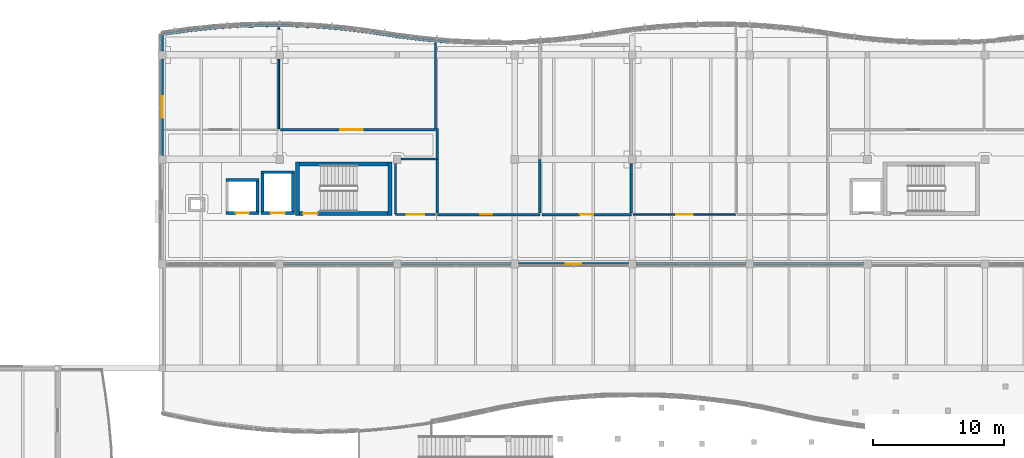
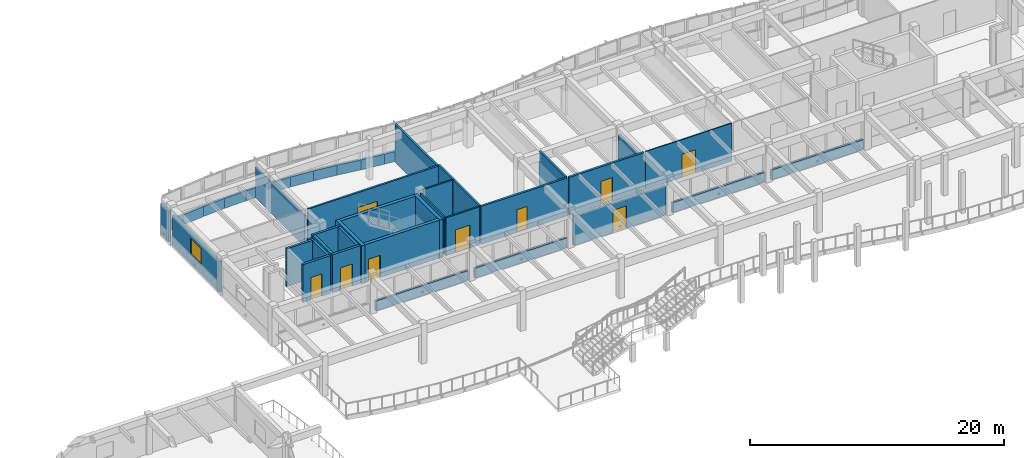
# One storey, part 60 of 89: 42 walls, 9 doors, 1 window, 10 openings.
"""IFC4 building model written with IfcOpenShell, lengths in metres."""

from ifc_helpers import new_model, si_unit, direction, frame, frame_2d, origin, place, context, subcontext, project, spatial, rectangle, extrude, material, layer, layer_set, type_object, element, fill, save


model = new_model("IFC4")

# Units and contexts
model_context = context("Model", 3, precision=1e-05, world=origin(), true_north=direction((0.0, 1.0)))
body_context = subcontext(model_context, "Body", "Model", "MODEL_VIEW")
ifc_project = project(units=[si_unit("LENGTHUNIT", "METRE"), si_unit("AREAUNIT", "SQUARE_METRE"), si_unit("VOLUMEUNIT", "CUBIC_METRE"), si_unit("PLANEANGLEUNIT", "RADIAN"), si_unit("MASSUNIT", "GRAM", prefix="KILO")], contexts=[model_context])

# Site, building, storey
site_placement = place(None, origin())
site = spatial("IfcSite", under=ifc_project, at=site_placement, CompositionType="ELEMENT")
building_placement = place(site_placement, origin())
building = spatial("IfcBuilding", under=site, at=building_placement, Name="Tonlespit Floodbar School", CompositionType="ELEMENT")
storey_placement = place(building_placement, frame((0.0, 0.0, 4.5)))
storey = spatial("IfcBuildingStorey", under=building, at=storey_placement, Name="L01", CompositionType="ELEMENT", Elevation=4.5)

# Walls
ifc_material_1 = material(Name="Concrete C40/50", Category="concrete")
ifc_layer_1 = layer(ifc_material_1, 0.300048828125)
ifc_layer_set_1 = layer_set([ifc_layer_1], Name="Concrete C40/50")
wall_type_1 = type_object("IfcWallType", Name="CoreWall_RC_300", PredefinedType="SHEAR", material=ifc_layer_set_1)
for number, where, z_axis, x_axis, name in (
    (1, (54.35009765625, 107.699951171875, 0.0), (0.0, 0.0, 1.0), (0.0, 1.0, 0.0), "L01 core C1 shear wall NEAR"),
    (2, (61.449951171875, 111.800048828125, 0.0), (0.0, 0.0, 1.0), (0.0, -1.0, 0.0), "L01 core C1 shear wall FAR"),
):
    element("IfcWall", number, at=place(storey_placement, frame(where, z_axis=z_axis, x_axis=x_axis)), inside=storey, type_object=wall_type_1, Name=name, PredefinedType="SHEAR", context=body_context, shape_type="SweptSolid", body=[
        extrude(rectangle(XDim=4.10009765625, YDim=0.300048828125, at=frame_2d((2.050048828125, 0.0))), origin(), (0.0, 0.0, 1.0), 3.64990234375),
    ])

# Wall, opening, door
wall_1_placement = place(storey_placement, frame((54.5, 107.85009765625, 0.0), z_axis=(0.0, 0.0, 1.0), x_axis=(1.0, 0.0, 0.0)))
wall_1 = element("IfcWall", 3, at=wall_1_placement, inside=storey, type_object=wall_type_1, Name="L01 core C1 shear wall LEFT", PredefinedType="SHEAR", context=body_context, shape_type="SweptSolid", body=[
    extrude(rectangle(XDim=6.800048828125, YDim=0.300048828125, at=frame_2d((3.39990234375, 0.0))), origin(), (0.0, 0.0, 1.0), 3.64990234375),
])
opening_1_placement = place(wall_1_placement, frame((0.300048828125, 0.0, 0.0)))
opening_1 = element("IfcOpeningElement", 4, at=opening_1_placement, cuts=wall_1, Name="Opening FD1-C1-L01", PredefinedType="OPENING", context=body_context, shape_type="SweptSolid", body=[
    extrude(rectangle(XDim=1.10009765625, YDim=2.14990234375, at=frame_2d((0.550048828125, 1.074951171875))), frame((0.0, 0.159912109375, 0.0), z_axis=(0.0, -1.0, 0.0), x_axis=(1.0, 0.0, 0.0)), (0.0, 0.0, 1.0), 0.320068359375),
])
ifc_material_2 = material(Name="Galvanised Steel", Category="steel")
door_type_1 = type_object("IfcDoorType", Name="FireDoor_Stair_1100x2150", OperationType="NOTDEFINED", PredefinedType="DOOR", material=ifc_material_2)
door_1_placement = place(opening_1_placement, origin())
door_1 = element("IfcDoor", 5, at=door_1_placement, inside=storey, type_object=door_type_1, Name="L01 stair ST-C1 fire door", OperationType="SINGLE_SWING_RIGHT", OverallHeight=2.14990234375, OverallWidth=1.10009765625, PredefinedType="DOOR", context=body_context, shape_type="SweptSolid", body=[
    extrude(rectangle(XDim=1.10009765625, YDim=2.14990234375, at=frame_2d((0.550048828125, 1.074951171875))), frame((0.0, 0.02490234375, 0.0), z_axis=(0.0, -1.0, 0.0), x_axis=(1.0, 0.0, 0.0)), (0.0, 0.0, 1.0), 0.050048828125),
])
fill(opening_1, door_1)

# Wall
wall_2_placement = place(storey_placement, frame((61.300048828125, 111.64990234375, 0.0), z_axis=(0.0, 0.0, 1.0), x_axis=(-1.0, 0.0, 0.0)))
element("IfcWall", 6, at=wall_2_placement, inside=storey, type_object=wall_type_1, Name="L01 core C1 shear wall RGHT", PredefinedType="SHEAR", context=body_context, shape_type="SweptSolid", body=[
    extrude(rectangle(XDim=6.800048828125, YDim=0.300048828125, at=frame_2d((3.39990234375, 0.0))), origin(), (0.0, 0.0, 1.0), 3.64990234375),
])

# Wall, opening, door
ifc_material_3 = material(Name="Precast concrete C40/50", Category="concrete")
ifc_layer_2 = layer(ifc_material_3, 0.239990234375)
ifc_layer_set_2 = layer_set([ifc_layer_2], Name="Precast concrete C40/50")
wall_type_2 = type_object("IfcWallType", Name="ExtWall_Rainscreen_240", PredefinedType="SOLIDWALL", material=ifc_layer_set_2)
wall_3_placement = place(storey_placement, frame((79.699951171875, 104.0, 0.0), z_axis=(0.0, 0.0, 1.0), x_axis=(-1.0, 0.0, 0.0)))
wall_3 = element("IfcWall", 7, at=wall_3_placement, inside=storey, type_object=wall_type_2, Name="L01 external wall 0088", PredefinedType="SOLIDWALL", context=body_context, shape_type="SweptSolid", body=[
    extrude(rectangle(XDim=8.39990234375, YDim=0.239990234375, at=frame_2d((4.199951171875, 0.0))), origin(), (0.0, 0.0, 1.0), 2.844970703125),
])
opening_2_placement = place(wall_3_placement, frame((3.60009765625, 0.0, 0.0)))
opening_2 = element("IfcOpeningElement", 8, at=opening_2_placement, cuts=wall_3, Name="Opening D-TR-005", PredefinedType="OPENING", context=body_context, shape_type="SweptSolid", body=[
    extrude(rectangle(XDim=1.199951171875, YDim=2.14990234375, at=frame_2d((0.60009765625, 1.074951171875))), frame((0.0, 0.1298828125, 0.0), z_axis=(0.0, -1.0, 0.0), x_axis=(1.0, 0.0, 0.0)), (0.0, 0.0, 1.0), 0.260009765625),
])
ifc_material_4 = material(Name="Anodised Aluminium", Category="aluminium")
door_type_2 = type_object("IfcDoorType", Name="ExtDoor_Terrace_1200x2150", OperationType="NOTDEFINED", PredefinedType="DOOR", material=ifc_material_4)
door_2_placement = place(opening_2_placement, origin())
door_2 = element("IfcDoor", 9, at=door_2_placement, inside=storey, type_object=door_type_2, Name="L01 exterior door D-TR-005", OperationType="SINGLE_SWING_LEFT", OverallHeight=2.14990234375, OverallWidth=1.199951171875, PredefinedType="DOOR", context=body_context, shape_type="SweptSolid", body=[
    extrude(rectangle(XDim=1.199951171875, YDim=2.14990234375, at=frame_2d((0.60009765625, 1.074951171875))), frame((0.0, 0.02490234375, 0.0), z_axis=(0.0, -1.0, 0.0), x_axis=(1.0, 0.0, 0.0)), (0.0, 0.0, 1.0), 0.050048828125),
])
fill(opening_2, door_2)

# Wall, opening, window
wall_4_placement = place(storey_placement, frame((44.0, 112.300048828125, 0.0), z_axis=(0.0, 0.0, 1.0), x_axis=(0.0, 1.0, 0.0)))
wall_4 = element("IfcWall", 10, at=wall_4_placement, inside=storey, type_object=wall_type_2, Name="L01 external wall 0093", PredefinedType="SOLIDWALL", context=body_context, shape_type="SweptSolid", body=[
    extrude(rectangle(XDim=7.39990234375, YDim=0.239990234375, at=frame_2d((3.699951171875, 0.0))), origin(), (0.0, 0.0, 1.0), 2.945068359375),
])
opening_3_placement = place(wall_4_placement, frame((2.875, 0.0, 0.949951171875)))
opening_3 = element("IfcOpeningElement", 11, at=opening_3_placement, cuts=wall_4, Name="Opening W-L01-004", PredefinedType="OPENING", context=body_context, shape_type="SweptSolid", body=[
    extrude(rectangle(XDim=1.64990234375, YDim=1.5, at=frame_2d((0.824951171875, 0.75))), frame((0.0, 0.1298828125, 0.0), z_axis=(0.0, -1.0, 0.0), x_axis=(1.0, 0.0, 0.0)), (0.0, 0.0, 1.0), 0.260009765625),
])
ifc_material_5 = material(Name="Tempered Double Glazing", Category="glass")
window_type = type_object("IfcWindowType", Name="Win_Mod_1650x1500", PartitioningType="DOUBLE_PANEL_VERTICAL", PredefinedType="WINDOW", material=ifc_material_5)
window_placement = place(opening_3_placement, origin())
window = element("IfcWindow", 12, at=window_placement, inside=storey, type_object=window_type, Name="L01 window W-L01-004", OverallHeight=1.5, OverallWidth=1.64990234375, PartitioningType="DOUBLE_PANEL_VERTICAL", PredefinedType="WINDOW", context=body_context, shape_type="SweptSolid", body=[
    extrude(rectangle(XDim=1.64990234375, YDim=1.5, at=frame_2d((0.824951171875, 0.75))), frame((0.0, 0.030029296875, 0.0), z_axis=(0.0, -1.0, 0.0), x_axis=(1.0, 0.0, 0.0)), (0.0, 0.0, 1.0), 0.06005859375),
])
fill(opening_3, window)

# Walls
wall_5_placement = place(storey_placement, frame((44.0, 120.300048828125, 0.0), z_axis=(0.0, 0.0, 1.0), x_axis=(0.0, 1.0, 0.0)))
element("IfcWall", 13, at=wall_5_placement, inside=storey, type_object=wall_type_2, Name="L01 external wall 0094", PredefinedType="SOLIDWALL", context=body_context, shape_type="SweptSolid", body=[
    extrude(rectangle(XDim=1.25, YDim=0.239990234375, at=frame_2d((0.625, 0.0))), origin(), (0.0, 0.0, 1.0), 2.945068359375),
])
ifc_material_6 = material(Name="White Architectural Precast concrete C40/50", Category="concrete")
ifc_layer_3 = layer(ifc_material_6, 0.199951171875)
ifc_layer_set_3 = layer_set([ifc_layer_3], Name="White Architectural Precast concrete C40/50")
wall_type_3 = type_object("IfcWallType", Name="ExtWall_Spandrel_White_200", PredefinedType="SOLIDWALL", material=ifc_layer_set_3)
wall_6_placement = place(storey_placement, frame((44.0, 121.550048828125, 0.0), z_axis=(0.0, 0.0, 1.0), x_axis=(0.989544477223, 0.144228040259, 0.0)))
element("IfcWall", 14, at=wall_6_placement, inside=storey, type_object=wall_type_3, Name="L01 spandrel wall 0048", PredefinedType="SOLIDWALL", context=body_context, shape_type="SweptSolid", body=[
    extrude(rectangle(XDim=2.021240234375, YDim=0.199951171875, at=frame_2d((1.0107421875, 0.0))), origin(), (0.0, 0.0, 1.0), 0.949951171875),
])
wall_7_placement = place(storey_placement, frame((46.0, 121.841552734375, 0.0), z_axis=(0.0, 0.0, 1.0), x_axis=(0.994395160059, 0.105727317433, 0.0)))
element("IfcWall", 15, at=wall_7_placement, inside=storey, type_object=wall_type_3, Name="L01 spandrel wall 0049", PredefinedType="SOLIDWALL", context=body_context, shape_type="SweptSolid", body=[
    extrude(rectangle(XDim=2.01123046875, YDim=0.199951171875, at=frame_2d((1.005615234375, 0.0))), origin(), (0.0, 0.0, 1.0), 0.949951171875),
])
wall_8_placement = place(storey_placement, frame((48.0, 122.05419921875, 0.0), z_axis=(0.0, 0.0, 1.0), x_axis=(0.997729302978, 0.067351599676, 0.0)))
element("IfcWall", 16, at=wall_8_placement, inside=storey, type_object=wall_type_3, Name="L01 spandrel wall 0050", PredefinedType="SOLIDWALL", context=body_context, shape_type="SweptSolid", body=[
    extrude(rectangle(XDim=2.004638671875, YDim=0.199951171875, at=frame_2d((1.00244140625, 0.0))), origin(), (0.0, 0.0, 1.0), 0.949951171875),
])
wall_9_placement = place(storey_placement, frame((50.0, 122.189208984375, 0.0), z_axis=(0.0, 0.0, 1.0), x_axis=(0.999581770858, 0.028918564416, 0.0)))
element("IfcWall", 17, at=wall_9_placement, inside=storey, type_object=wall_type_3, Name="L01 spandrel wall 0051", PredefinedType="SOLIDWALL", context=body_context, shape_type="SweptSolid", body=[
    extrude(rectangle(XDim=2.000732421875, YDim=0.199951171875, at=frame_2d((1.00048828125, 0.0))), origin(), (0.0, 0.0, 1.0), 0.949951171875),
])
wall_10_placement = place(storey_placement, frame((52.0, 122.2470703125, 0.0), z_axis=(0.0, 0.0, 1.0), x_axis=(0.999953504169, -0.009643106302, 0.0)))
element("IfcWall", 18, at=wall_10_placement, inside=storey, type_object=wall_type_3, Name="L01 spandrel wall 0052", PredefinedType="SOLIDWALL", context=body_context, shape_type="SweptSolid", body=[
    extrude(rectangle(XDim=2.0, YDim=0.199951171875, at=frame_2d((1.0, 0.0))), origin(), (0.0, 0.0, 1.0), 0.949951171875),
])
wall_11_placement = place(storey_placement, frame((54.0, 122.227783203125, 0.0), z_axis=(0.0, 0.0, 1.0), x_axis=(0.99884540439, -0.048040172037, 0.0)))
element("IfcWall", 19, at=wall_11_placement, inside=storey, type_object=wall_type_3, Name="L01 spandrel wall 0053", PredefinedType="SOLIDWALL", context=body_context, shape_type="SweptSolid", body=[
    extrude(rectangle(XDim=2.002197265625, YDim=0.199951171875, at=frame_2d((1.0009765625, 0.0))), origin(), (0.0, 0.0, 1.0), 0.949951171875),
])
wall_12_placement = place(storey_placement, frame((56.0, 122.131591796875, 0.0), z_axis=(0.0, 0.0, 1.0), x_axis=(0.996244237948, -0.086587633962, 0.0)))
element("IfcWall", 20, at=wall_12_placement, inside=storey, type_object=wall_type_3, Name="L01 spandrel wall 0054", PredefinedType="SOLIDWALL", context=body_context, shape_type="SweptSolid", body=[
    extrude(rectangle(XDim=2.007568359375, YDim=0.199951171875, at=frame_2d((1.00390625, 0.0))), origin(), (0.0, 0.0, 1.0), 0.949951171875),
])
wall_13_placement = place(storey_placement, frame((58.0, 121.957763671875, 0.0), z_axis=(0.0, 0.0, 1.0), x_axis=(0.992158168336, -0.124988675503, 0.0)))
element("IfcWall", 21, at=wall_13_placement, inside=storey, type_object=wall_type_3, Name="L01 spandrel wall 0055", PredefinedType="SOLIDWALL", context=body_context, shape_type="SweptSolid", body=[
    extrude(rectangle(XDim=2.015869140625, YDim=0.199951171875, at=frame_2d((1.0078125, 0.0))), origin(), (0.0, 0.0, 1.0), 0.949951171875),
])
wall_14_placement = place(storey_placement, frame((60.0, 121.705810546875, 0.0), z_axis=(0.0, 0.0, 1.0), x_axis=(0.988085509852, -0.153905897287, 0.0)))
element("IfcWall", 22, at=wall_14_placement, inside=storey, type_object=wall_type_3, Name="L01 spandrel wall 0056", PredefinedType="SOLIDWALL", context=body_context, shape_type="SweptSolid", body=[
    extrude(rectangle(XDim=2.024169921875, YDim=0.199951171875, at=frame_2d((1.01220703125, 0.0))), origin(), (0.0, 0.0, 1.0), 0.949951171875),
])
wall_15_placement = place(storey_placement, frame((62.0, 121.394287109375, 0.0), z_axis=(0.0, 0.0, 1.0), x_axis=(0.992158168336, -0.124988675503, 0.0)))
element("IfcWall", 23, at=wall_15_placement, inside=storey, type_object=wall_type_3, Name="L01 spandrel wall 0057", PredefinedType="SOLIDWALL", context=body_context, shape_type="SweptSolid", body=[
    extrude(rectangle(XDim=2.015869140625, YDim=0.199951171875, at=frame_2d((1.0078125, 0.0))), origin(), (0.0, 0.0, 1.0), 0.949951171875),
])
wall_16_placement = place(storey_placement, frame((64.0, 121.142333984375, 0.0), z_axis=(0.0, 0.0, 1.0), x_axis=(0.996244237948, -0.086587633962, 0.0)))
element("IfcWall", 24, at=wall_16_placement, inside=storey, type_object=wall_type_3, Name="L01 spandrel wall 0058", PredefinedType="SOLIDWALL", context=body_context, shape_type="SweptSolid", body=[
    extrude(rectangle(XDim=2.007568359375, YDim=0.199951171875, at=frame_2d((1.00390625, 0.0))), origin(), (0.0, 0.0, 1.0), 0.949951171875),
])
for number, where, z_axis, x_axis, name in (
    (25, (97.699951171875, 104.0, 0.0), (0.0, 0.0, 1.0), (-1.0, 0.0, 0.0), "L01 spandrel wall 0086"),
    (26, (88.699951171875, 104.0, 0.0), (0.0, 0.0, 1.0), (-1.0, 0.0, 0.0), "L01 spandrel wall 0087"),
    (27, (70.699951171875, 104.0, 0.0), (0.0, 0.0, 1.0), (-1.0, 0.0, 0.0), "L01 spandrel wall 0089"),
    (28, (61.699951171875, 104.0, 0.0), (0.0, 0.0, 1.0), (-1.0, 0.0, 0.0), "L01 spandrel wall 0090"),
):
    element("IfcWall", number, at=place(storey_placement, frame(where, z_axis=z_axis, x_axis=x_axis)), inside=storey, type_object=wall_type_3, Name=name, PredefinedType="SOLIDWALL", context=body_context, shape_type="SweptSolid", body=[
        extrude(rectangle(XDim=8.39990234375, YDim=0.199951171875, at=frame_2d((4.199951171875, 0.0))), origin(), (0.0, 0.0, 1.0), 0.949951171875),
    ])

# Wall, opening, door
ifc_material_7 = material(Name="Gypsum Plasterboard Partition")
ifc_layer_4 = layer(ifc_material_7, 0.10009765625)
ifc_layer_set_4 = layer_set([ifc_layer_4], Name="Gypsum Plasterboard Partition")
wall_type_4 = type_object("IfcWallType", Name="Partition_Gyp_100", PredefinedType="PARTITIONING", material=ifc_layer_set_4)
wall_17_placement = place(storey_placement, frame((80.070068359375, 107.77001953125, 0.0), z_axis=(0.0, 0.0, 1.0), x_axis=(1.0, 0.0, 0.0)))
wall_17 = element("IfcWall", 29, at=wall_17_placement, inside=storey, type_object=wall_type_4, Name="L01 partition wall 0046", PredefinedType="PARTITIONING", context=body_context, shape_type="SweptSolid", body=[
    extrude(rectangle(XDim=7.85986328125, YDim=0.10009765625, at=frame_2d((3.929931640625, 0.0))), origin(), (0.0, 0.0, 1.0), 3.64990234375),
])
opening_4_placement = place(wall_17_placement, frame((3.31005859375, 0.0, 0.0)))
opening_4 = element("IfcOpeningElement", 30, at=opening_4_placement, cuts=wall_17, Name="Opening D-L01-014", PredefinedType="OPENING", context=body_context, shape_type="SweptSolid", body=[
    extrude(rectangle(XDim=1.239990234375, YDim=2.25, at=frame_2d((0.6201171875, 1.125))), frame((0.0, 0.06005859375, 0.0), z_axis=(0.0, -1.0, 0.0), x_axis=(1.0, 0.0, 0.0)), (0.0, 0.0, 1.0), 0.1201171875),
])
ifc_material_8 = material(Name="Hardwood Timber", Category="wood")
door_type_3 = type_object("IfcDoorType", Name="IntDoor_1240x2250", OperationType="NOTDEFINED", PredefinedType="DOOR", material=ifc_material_8)
door_3_placement = place(opening_4_placement, origin())
door_3 = element("IfcDoor", 31, at=door_3_placement, inside=storey, type_object=door_type_3, Name="L01 interior door D-L01-014", OperationType="SINGLE_SWING_LEFT", OverallHeight=2.25, OverallWidth=1.239990234375, PredefinedType="DOOR", context=body_context, shape_type="SweptSolid", body=[
    extrude(rectangle(XDim=1.239990234375, YDim=2.25, at=frame_2d((0.6201171875, 1.125))), frame((0.0, 0.02490234375, 0.0), z_axis=(0.0, -1.0, 0.0), x_axis=(1.0, 0.0, 0.0)), (0.0, 0.0, 1.0), 0.050048828125),
])
fill(opening_4, door_3)

ifc_layer_5 = layer(ifc_material_7, 0.139892578125)
ifc_layer_set_5 = layer_set([ifc_layer_5], Name="Gypsum Plasterboard Partition")
wall_type_5 = type_object("IfcWallType", Name="Partition_Gyp_140", PredefinedType="PARTITIONING", material=ifc_layer_set_5)
wall_18_placement = place(storey_placement, frame((61.8701171875, 107.77001953125, 0.0), z_axis=(0.0, 0.0, 1.0), x_axis=(1.0, 0.0, 0.0)))
wall_18 = element("IfcWall", 32, at=wall_18_placement, inside=storey, type_object=wall_type_5, Name="L01 partition wall 0057", PredefinedType="PARTITIONING", context=body_context, shape_type="SweptSolid", body=[
    extrude(rectangle(XDim=3.059814453125, YDim=0.139892578125, at=frame_2d((1.52978515625, 0.0))), origin(), (0.0, 0.0, 1.0), 3.64990234375),
])
opening_5_placement = place(wall_18_placement, frame((0.8701171875, 0.0, 0.0)))
opening_5 = element("IfcOpeningElement", 33, at=opening_5_placement, cuts=wall_18, Name="Opening D-L01-018", PredefinedType="OPENING", context=body_context, shape_type="SweptSolid", body=[
    extrude(rectangle(XDim=1.320068359375, YDim=2.199951171875, at=frame_2d((0.66015625, 1.10009765625))), frame((0.0, 0.079833984375, 0.0), z_axis=(0.0, -1.0, 0.0), x_axis=(1.0, 0.0, 0.0)), (0.0, 0.0, 1.0), 0.159912109375),
])
door_type_4 = type_object("IfcDoorType", Name="IntDoor_1320x2200", OperationType="NOTDEFINED", PredefinedType="DOOR", material=ifc_material_8)
door_4_placement = place(opening_5_placement, origin())
door_4 = element("IfcDoor", 34, at=door_4_placement, inside=storey, type_object=door_type_4, Name="L01 interior door D-L01-018", OperationType="SINGLE_SWING_LEFT", OverallHeight=2.199951171875, OverallWidth=1.320068359375, PredefinedType="DOOR", context=body_context, shape_type="SweptSolid", body=[
    extrude(rectangle(XDim=1.320068359375, YDim=2.199951171875, at=frame_2d((0.66015625, 1.10009765625))), frame((0.0, 0.02490234375, 0.0), z_axis=(0.0, -1.0, 0.0), x_axis=(1.0, 0.0, 0.0)), (0.0, 0.0, 1.0), 0.050048828125),
])
fill(opening_5, door_4)

# Walls
wall_19_placement = place(storey_placement, frame((62.31494140625, 112.030029296875, 0.0), z_axis=(0.0, 0.0, 1.0), x_axis=(1.0, 0.0, 0.0)))
element("IfcWall", 35, at=wall_19_placement, inside=storey, type_object=wall_type_5, Name="L01 partition wall 0058", PredefinedType="PARTITIONING", context=body_context, shape_type="SweptSolid", body=[
    extrude(rectangle(XDim=2.614990234375, YDim=0.139892578125, at=frame_2d((1.3076171875, 0.0))), origin(), (0.0, 0.0, 1.0), 3.64990234375),
])
wall_20_placement = place(storey_placement, frame((61.8701171875, 107.85498046875, 0.0), z_axis=(0.0, 0.0, 1.0), x_axis=(0.0, 1.0, 0.0)))
element("IfcWall", 36, at=wall_20_placement, inside=storey, type_object=wall_type_5, Name="L01 partition wall 0059", PredefinedType="PARTITIONING", context=body_context, shape_type="SweptSolid", body=[
    extrude(rectangle(XDim=3.830078125, YDim=0.139892578125, at=frame_2d((1.9150390625, 0.0))), origin(), (0.0, 0.0, 1.0), 3.64990234375),
])
ifc_layer_6 = layer(ifc_material_7, 0.14990234375)
ifc_layer_set_6 = layer_set([ifc_layer_6], Name="Gypsum Plasterboard Partition")
wall_type_6 = type_object("IfcWallType", Name="Partition_Gyp_150", PredefinedType="PARTITIONING", material=ifc_layer_set_6)
wall_21_placement = place(storey_placement, frame((52.929931640625, 114.360107421875, 0.0), z_axis=(0.0, 0.0, 1.0), x_axis=(0.0, 1.0, 0.0)))
element("IfcWall", 37, at=wall_21_placement, inside=storey, type_object=wall_type_6, Name="L01 partition wall 0034", PredefinedType="PARTITIONING", context=body_context, shape_type="SweptSolid", body=[
    extrude(rectangle(XDim=7.736083984375, YDim=0.14990234375, at=frame_2d((3.8681640625, 0.0))), origin(), (0.0, 0.0, 1.0), 2.9951171875),
])

# Wall, opening, door
ifc_layer_7 = layer(ifc_material_7, 0.169921875)
ifc_layer_set_7 = layer_set([ifc_layer_7], Name="Gypsum Plasterboard Partition")
wall_type_7 = type_object("IfcWallType", Name="Partition_Gyp_170", PredefinedType="PARTITIONING", material=ifc_layer_set_7)
wall_22_placement = place(storey_placement, frame((53.070068359375, 114.27001953125, 0.0), z_axis=(0.0, 0.0, 1.0), x_axis=(1.0, 0.0, 0.0)))
wall_22 = element("IfcWall", 38, at=wall_22_placement, inside=storey, type_object=wall_type_7, Name="L01 partition wall 0035", PredefinedType="PARTITIONING", context=body_context, shape_type="SweptSolid", body=[
    extrude(rectangle(XDim=11.85986328125, YDim=0.169921875, at=frame_2d((5.929931640625, 0.0))), origin(), (0.0, 0.0, 1.0), 3.64990234375),
])
opening_6_placement = place(wall_22_placement, frame((4.550048828125, 0.0, 0.0)))
opening_6 = element("IfcOpeningElement", 39, at=opening_6_placement, cuts=wall_22, Name="Opening D-L01-011", PredefinedType="OPENING", context=body_context, shape_type="SweptSolid", body=[
    extrude(rectangle(XDim=1.760009765625, YDim=2.199951171875, at=frame_2d((0.8798828125, 1.10009765625))), frame((0.0, 0.094970703125, 0.0), z_axis=(0.0, -1.0, 0.0), x_axis=(1.0, 0.0, 0.0)), (0.0, 0.0, 1.0), 0.18994140625),
])
door_type_5 = type_object("IfcDoorType", Name="IntDoor_1760x2200", OperationType="NOTDEFINED", PredefinedType="DOOR", material=ifc_material_8)
door_5_placement = place(opening_6_placement, origin())
door_5 = element("IfcDoor", 40, at=door_5_placement, inside=storey, type_object=door_type_5, Name="L01 interior door D-L01-011", OperationType="SINGLE_SWING_RIGHT", OverallHeight=2.199951171875, OverallWidth=1.760009765625, PredefinedType="DOOR", context=body_context, shape_type="SweptSolid", body=[
    extrude(rectangle(XDim=1.760009765625, YDim=2.199951171875, at=frame_2d((0.8798828125, 1.10009765625))), frame((0.0, 0.02490234375, 0.0), z_axis=(0.0, -1.0, 0.0), x_axis=(1.0, 0.0, 0.0)), (0.0, 0.0, 1.0), 0.050048828125),
])
fill(opening_6, door_5)

# Wall
wall_23_placement = place(storey_placement, frame((64.929931640625, 114.3701171875, 0.0), z_axis=(0.0, 0.0, 1.0), x_axis=(0.0, 1.0, 0.0)))
element("IfcWall", 41, at=wall_23_placement, inside=storey, type_object=wall_type_7, Name="L01 partition wall 0036", PredefinedType="PARTITIONING", context=body_context, shape_type="SweptSolid", body=[
    extrude(rectangle(XDim=6.54931640625, YDim=0.169921875, at=frame_2d((3.274658203125, 0.0))), origin(), (0.0, 0.0, 1.0), 3.64990234375),
])

# Wall, opening, door
ifc_layer_8 = layer(ifc_material_7, 0.18505859375)
ifc_layer_set_8 = layer_set([ifc_layer_8], Name="Gypsum Plasterboard Partition")
wall_type_8 = type_object("IfcWallType", Name="Partition_Gyp_185", PredefinedType="PARTITIONING", material=ifc_layer_set_8)
wall_24_placement = place(storey_placement, frame((65.070068359375, 107.77001953125, 0.0), z_axis=(0.0, 0.0, 1.0), x_axis=(1.0, 0.0, 0.0)))
wall_24 = element("IfcWall", 42, at=wall_24_placement, inside=storey, type_object=wall_type_8, Name="L01 partition wall 0037", PredefinedType="PARTITIONING", context=body_context, shape_type="SweptSolid", body=[
    extrude(rectangle(XDim=7.85986328125, YDim=0.18505859375, at=frame_2d((3.929931640625, 0.0))), origin(), (0.0, 0.0, 1.0), 3.64990234375),
])
opening_7_placement = place(wall_24_placement, frame((3.27001953125, 0.0, 0.0)))
opening_7 = element("IfcOpeningElement", 43, at=opening_7_placement, cuts=wall_24, Name="Opening D-L01-012", PredefinedType="OPENING", context=body_context, shape_type="SweptSolid", body=[
    extrude(rectangle(XDim=0.919921875, YDim=2.199951171875, at=frame_2d((0.4599609375, 1.10009765625))), frame((0.0, 0.1025390625, 0.0), z_axis=(0.0, -1.0, 0.0), x_axis=(1.0, 0.0, 0.0)), (0.0, 0.0, 1.0), 0.205078125),
])
door_type_6 = type_object("IfcDoorType", Name="IntDoor_920x2200", OperationType="NOTDEFINED", PredefinedType="DOOR", material=ifc_material_8)
door_6_placement = place(opening_7_placement, origin())
door_6 = element("IfcDoor", 44, at=door_6_placement, inside=storey, type_object=door_type_6, Name="L01 interior door D-L01-012", OperationType="SINGLE_SWING_LEFT", OverallHeight=2.199951171875, OverallWidth=0.919921875, PredefinedType="DOOR", context=body_context, shape_type="SweptSolid", body=[
    extrude(rectangle(XDim=0.919921875, YDim=2.199951171875, at=frame_2d((0.4599609375, 1.10009765625))), frame((0.0, 0.02490234375, 0.0), z_axis=(0.0, -1.0, 0.0), x_axis=(1.0, 0.0, 0.0)), (0.0, 0.0, 1.0), 0.050048828125),
])
fill(opening_7, door_6)

# Walls
wall_25_placement = place(storey_placement, frame((65.070068359375, 107.87744140625, 0.0), z_axis=(0.0, 0.0, 1.0), x_axis=(0.0, 1.0, 0.0)))
element("IfcWall", 45, at=wall_25_placement, inside=storey, type_object=wall_type_8, Name="L01 partition wall 0038", PredefinedType="PARTITIONING", context=body_context, shape_type="SweptSolid", body=[
    extrude(rectangle(XDim=4.12255859375, YDim=0.18505859375, at=frame_2d((2.061279296875, 0.0))), origin(), (0.0, 0.0, 1.0), 3.64990234375),
])
wall_26_placement = place(storey_placement, frame((65.070068359375, 112.0, 0.0), z_axis=(0.0, 0.0, 1.0), x_axis=(0.0, 1.0, 0.0)))
element("IfcWall", 46, at=wall_26_placement, inside=storey, type_object=wall_type_8, Name="L01 partition wall 0039", PredefinedType="PARTITIONING", context=body_context, shape_type="SweptSolid", body=[
    extrude(rectangle(XDim=2.35009765625, YDim=0.18505859375, at=frame_2d((1.175048828125, 0.0))), origin(), (0.0, 0.0, 1.0), 3.64990234375),
])
wall_27_placement = place(storey_placement, frame((72.929931640625, 107.87744140625, 0.0), z_axis=(0.0, 0.0, 1.0), x_axis=(0.0, 1.0, 0.0)))
element("IfcWall", 47, at=wall_27_placement, inside=storey, type_object=wall_type_8, Name="L01 partition wall 0040", PredefinedType="PARTITIONING", context=body_context, shape_type="SweptSolid", body=[
    extrude(rectangle(XDim=4.12255859375, YDim=0.18505859375, at=frame_2d((2.061279296875, 0.0))), origin(), (0.0, 0.0, 1.0), 3.64990234375),
])

# Wall, opening, door
ifc_layer_9 = layer(ifc_material_7, 0.195068359375)
ifc_layer_set_9 = layer_set([ifc_layer_9], Name="Gypsum Plasterboard Partition")
wall_type_9 = type_object("IfcWallType", Name="Partition_Gyp_195", PredefinedType="PARTITIONING", material=ifc_layer_set_9)
wall_28_placement = place(storey_placement, frame((73.070068359375, 107.77001953125, 0.0), z_axis=(0.0, 0.0, 1.0), x_axis=(1.0, 0.0, 0.0)))
wall_28 = element("IfcWall", 48, at=wall_28_placement, inside=storey, type_object=wall_type_9, Name="L01 partition wall 0042", PredefinedType="PARTITIONING", context=body_context, shape_type="SweptSolid", body=[
    extrude(rectangle(XDim=6.85986328125, YDim=0.195068359375, at=frame_2d((3.429931640625, 0.0))), origin(), (0.0, 0.0, 1.0), 3.64990234375),
])
opening_8_placement = place(wall_28_placement, frame((2.909912109375, 0.0, 0.0)))
opening_8 = element("IfcOpeningElement", 49, at=opening_8_placement, cuts=wall_28, Name="Opening D-L01-013", PredefinedType="OPENING", context=body_context, shape_type="SweptSolid", body=[
    extrude(rectangle(XDim=1.0400390625, YDim=2.25, at=frame_2d((0.52001953125, 1.125))), frame((0.0, 0.107421875, 0.0), z_axis=(0.0, -1.0, 0.0), x_axis=(1.0, 0.0, 0.0)), (0.0, 0.0, 1.0), 0.215087890625),
])
door_type_7 = type_object("IfcDoorType", Name="IntDoor_1040x2250", OperationType="NOTDEFINED", PredefinedType="DOOR", material=ifc_material_8)
door_7_placement = place(opening_8_placement, origin())
door_7 = element("IfcDoor", 50, at=door_7_placement, inside=storey, type_object=door_type_7, Name="L01 interior door D-L01-013", OperationType="SINGLE_SWING_RIGHT", OverallHeight=2.25, OverallWidth=1.0400390625, PredefinedType="DOOR", context=body_context, shape_type="SweptSolid", body=[
    extrude(rectangle(XDim=1.0400390625, YDim=2.25, at=frame_2d((0.52001953125, 1.125))), frame((0.0, 0.02490234375, 0.0), z_axis=(0.0, -1.0, 0.0), x_axis=(1.0, 0.0, 0.0)), (0.0, 0.0, 1.0), 0.050048828125),
])
fill(opening_8, door_7)

# Wall
wall_29_placement = place(storey_placement, frame((79.929931640625, 107.882568359375, 0.0), z_axis=(0.0, 0.0, 1.0), x_axis=(0.0, 1.0, 0.0)))
element("IfcWall", 51, at=wall_29_placement, inside=storey, type_object=wall_type_9, Name="L01 partition wall 0044", PredefinedType="PARTITIONING", context=body_context, shape_type="SweptSolid", body=[
    extrude(rectangle(XDim=3.802490234375, YDim=0.195068359375, at=frame_2d((1.9013671875, 0.0))), origin(), (0.0, 0.0, 1.0), 2.9951171875),
])

# Wall, opening, door
ifc_layer_10 = layer(ifc_material_1, 0.219970703125)
ifc_layer_set_10 = layer_set([ifc_layer_10], Name="Concrete C40/50")
wall_type_10 = type_object("IfcWallType", Name="ShaftWall_RC_220", PredefinedType="SHEAR", material=ifc_layer_set_10)
wall_30_placement = place(storey_placement, frame((54.1201171875, 107.889892578125, 0.0), z_axis=(0.0, 0.0, 1.0), x_axis=(-1.0, 0.0, 0.0)))
wall_30 = element("IfcWall", 52, at=wall_30_placement, inside=storey, type_object=wall_type_10, Name="L01 lift LF-FF1 shaft wall S", PredefinedType="SHEAR", context=body_context, shape_type="SweptSolid", body=[
    extrude(rectangle(XDim=2.5400390625, YDim=0.219970703125, at=frame_2d((1.27001953125, 0.0))), origin(), (0.0, 0.0, 1.0), 3.64990234375),
])
opening_9_placement = place(wall_30_placement, frame((0.719970703125, 0.0, 0.0)))
opening_9 = element("IfcOpeningElement", 53, at=opening_9_placement, cuts=wall_30, Name="Opening LD-LF-FF1-L01", PredefinedType="OPENING", context=body_context, shape_type="SweptSolid", body=[
    extrude(rectangle(XDim=1.10009765625, YDim=2.14990234375, at=frame_2d((0.550048828125, 1.074951171875))), frame((0.0, 0.119873046875, 0.0), z_axis=(0.0, -1.0, 0.0), x_axis=(1.0, 0.0, 0.0)), (0.0, 0.0, 1.0), 0.239990234375),
])
door_type_8 = type_object("IfcDoorType", Name="LiftDoor_FF_1100x2150", OperationType="DOUBLE_DOOR_SLIDING", PredefinedType="DOOR", material=ifc_material_2)
door_8_placement = place(opening_9_placement, origin())
door_8 = element("IfcDoor", 54, at=door_8_placement, inside=storey, type_object=door_type_8, Name="L01 lift LF-FF1 sliding landing door", OperationType="DOUBLE_DOOR_SLIDING", OverallHeight=2.14990234375, OverallWidth=1.10009765625, PredefinedType="DOOR", context=body_context, shape_type="SweptSolid", body=[
    extrude(rectangle(XDim=1.10009765625, YDim=2.14990234375, at=frame_2d((0.550048828125, 1.074951171875))), frame((0.0, 0.02490234375, 0.0), z_axis=(0.0, -1.0, 0.0), x_axis=(1.0, 0.0, 0.0)), (0.0, 0.0, 1.0), 0.050048828125),
])
fill(opening_9, door_8)

# Walls
wall_31_placement = place(storey_placement, frame((51.580078125, 111.010009765625, 0.0), z_axis=(0.0, 0.0, 1.0), x_axis=(1.0, 0.0, 0.0)))
element("IfcWall", 55, at=wall_31_placement, inside=storey, type_object=wall_type_10, Name="L01 lift LF-FF1 shaft wall N", PredefinedType="SHEAR", context=body_context, shape_type="SweptSolid", body=[
    extrude(rectangle(XDim=2.5400390625, YDim=0.219970703125, at=frame_2d((1.27001953125, 0.0))), origin(), (0.0, 0.0, 1.0), 3.64990234375),
])
for number, where, z_axis, x_axis, name in (
    (56, (51.68994140625, 108.0, 0.0), (0.0, 0.0, 1.0), (0.0, 1.0, 0.0), "L01 lift LF-FF1 shaft wall W"),
    (57, (54.010009765625, 110.89990234375, 0.0), (0.0, 0.0, 1.0), (0.0, -1.0, 0.0), "L01 lift LF-FF1 shaft wall E"),
):
    element("IfcWall", number, at=place(storey_placement, frame(where, z_axis=z_axis, x_axis=x_axis)), inside=storey, type_object=wall_type_10, Name=name, PredefinedType="SHEAR", context=body_context, shape_type="SweptSolid", body=[
        extrude(rectangle(XDim=2.89990234375, YDim=0.219970703125, at=frame_2d((1.449951171875, 0.0))), origin(), (0.0, 0.0, 1.0), 3.64990234375),
    ])

# Wall, opening, door
wall_32_placement = place(storey_placement, frame((51.419921875, 107.889892578125, 0.0), z_axis=(0.0, 0.0, 1.0), x_axis=(-1.0, 0.0, 0.0)))
wall_32 = element("IfcWall", 58, at=wall_32_placement, inside=storey, type_object=wall_type_10, Name="L01 lift LP-1 shaft wall S", PredefinedType="SHEAR", context=body_context, shape_type="SweptSolid", body=[
    extrude(rectangle(XDim=2.5400390625, YDim=0.219970703125, at=frame_2d((1.27001953125, 0.0))), origin(), (0.0, 0.0, 1.0), 3.64990234375),
])
opening_10_placement = place(wall_32_placement, frame((0.77001953125, 0.0, 0.0)))
opening_10 = element("IfcOpeningElement", 59, at=opening_10_placement, cuts=wall_32, Name="Opening LD-LP-1-L01", PredefinedType="OPENING", context=body_context, shape_type="SweptSolid", body=[
    extrude(rectangle(XDim=1.0, YDim=2.14990234375, at=frame_2d((0.5, 1.074951171875))), frame((0.0, 0.119873046875, 0.0), z_axis=(0.0, -1.0, 0.0), x_axis=(1.0, 0.0, 0.0)), (0.0, 0.0, 1.0), 0.239990234375),
])
door_type_9 = type_object("IfcDoorType", Name="LiftDoor_Pass_1000x2150", OperationType="DOUBLE_DOOR_SLIDING", PredefinedType="DOOR", material=ifc_material_4)
door_9_placement = place(opening_10_placement, origin())
door_9 = element("IfcDoor", 60, at=door_9_placement, inside=storey, type_object=door_type_9, Name="L01 lift LP-1 sliding landing door", OperationType="DOUBLE_DOOR_SLIDING", OverallHeight=2.14990234375, OverallWidth=1.0, PredefinedType="DOOR", context=body_context, shape_type="SweptSolid", body=[
    extrude(rectangle(XDim=1.0, YDim=2.14990234375, at=frame_2d((0.5, 1.074951171875))), frame((0.0, 0.02490234375, 0.0), z_axis=(0.0, -1.0, 0.0), x_axis=(1.0, 0.0, 0.0)), (0.0, 0.0, 1.0), 0.050048828125),
])
fill(opening_10, door_9)

# Walls
wall_33_placement = place(storey_placement, frame((48.8798828125, 110.409912109375, 0.0), z_axis=(0.0, 0.0, 1.0), x_axis=(1.0, 0.0, 0.0)))
element("IfcWall", 61, at=wall_33_placement, inside=storey, type_object=wall_type_10, Name="L01 lift LP-1 shaft wall N", PredefinedType="SHEAR", context=body_context, shape_type="SweptSolid", body=[
    extrude(rectangle(XDim=2.5400390625, YDim=0.219970703125, at=frame_2d((1.27001953125, 0.0))), origin(), (0.0, 0.0, 1.0), 3.64990234375),
])
wall_34_placement = place(storey_placement, frame((51.31005859375, 110.300048828125, 0.0), z_axis=(0.0, 0.0, 1.0), x_axis=(0.0, -1.0, 0.0)))
element("IfcWall", 62, at=wall_34_placement, inside=storey, type_object=wall_type_10, Name="L01 lift LP-1 shaft wall E", PredefinedType="SHEAR", context=body_context, shape_type="SweptSolid", body=[
    extrude(rectangle(XDim=2.300048828125, YDim=0.219970703125, at=frame_2d((1.14990234375, 0.0))), origin(), (0.0, 0.0, 1.0), 3.64990234375),
])

save(model, "model.ifc")
